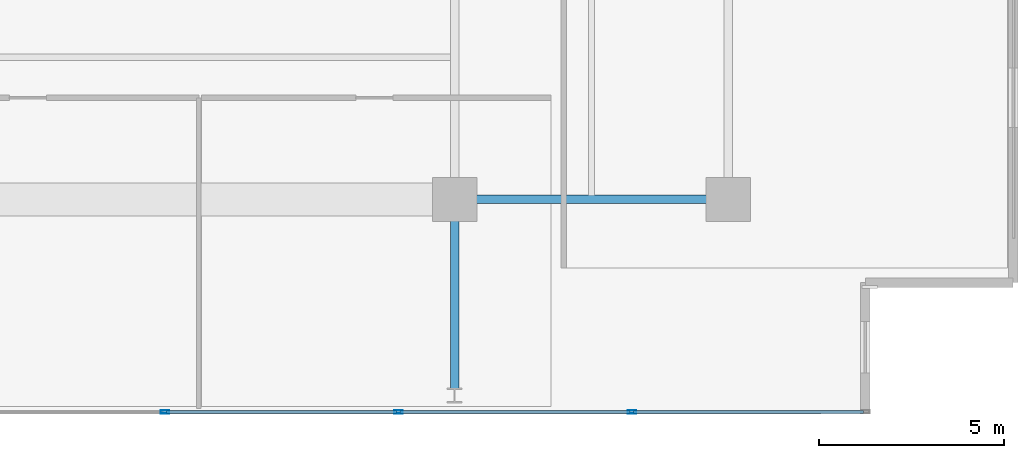
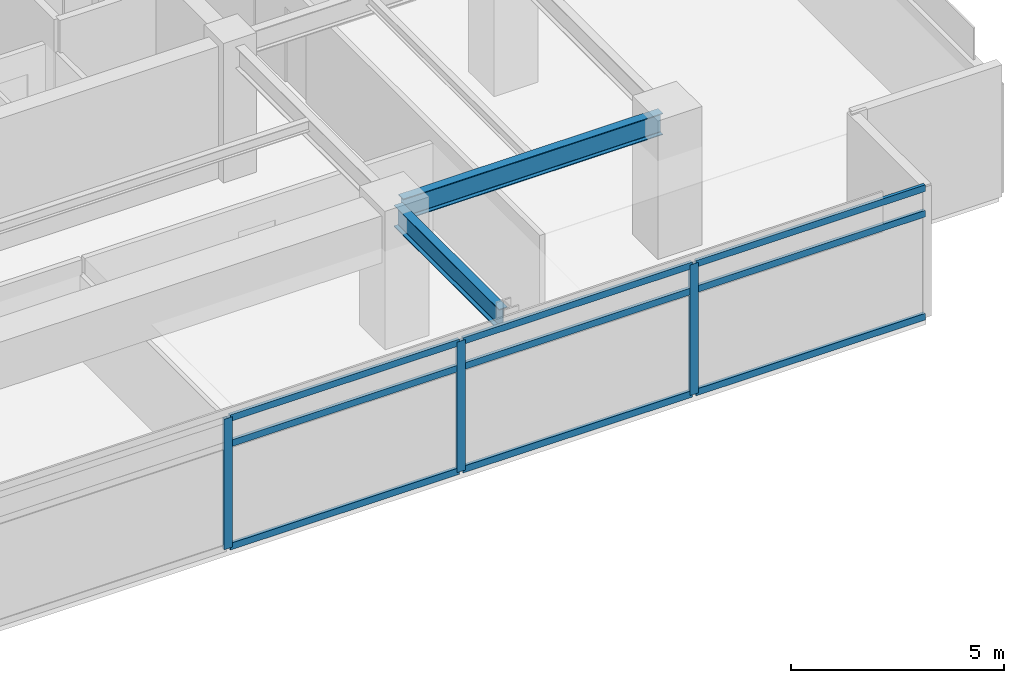
# One storey, part 6 of 24: 12 members, 2 beams, 1 element without a shape of its own.
"""IFC4 building model written with IfcOpenShell, lengths in metres."""

from ifc_helpers import new_model, si_unit, direction, frame, origin, origin_2d, place, context, subcontext, project, spatial, hollow_rectangle, i_section, extrude, material, material_profile, profile_set, type_object, element, aggregate, save


model = new_model("IFC4")

# Units and contexts
model_context = context("Model", 3, precision=1e-05, world=origin(), true_north=direction((0.0, 1.0)))
body_context = subcontext(model_context, "Body", "Model", "MODEL_VIEW")
ifc_project = project(units=[si_unit("LENGTHUNIT", "METRE"), si_unit("AREAUNIT", "SQUARE_METRE"), si_unit("VOLUMEUNIT", "CUBIC_METRE"), si_unit("PLANEANGLEUNIT", "RADIAN"), si_unit("MASSUNIT", "GRAM", prefix="KILO")], contexts=[model_context])

# Site, building, storey
site_placement = place(None, origin())
site = spatial("IfcSite", under=ifc_project, at=site_placement, CompositionType="ELEMENT")
building_placement = place(site_placement, origin())
building = spatial("IfcBuilding", under=site, at=building_placement, Name="Kovane Verandah Tower", CompositionType="ELEMENT")
storey_placement = place(building_placement, frame((0.0, 0.0, 271.199951171875)))
storey = spatial("IfcBuildingStorey", under=building, at=storey_placement, Name="L63", CompositionType="ELEMENT", Elevation=271.199951171875)

# Beams
ifc_material_1 = material(Name="Steel S355", Category="steel")
ifc_material_profile_1 = material_profile(ifc_material_1, i_section(OverallWidth=0.230224609375, OverallDepth=0.6171875, WebThickness=0.01318359375, FlangeThickness=0.022216796875, FilletRadius=0.0126953125, at=origin_2d()), Name="UB610x229x140")
ifc_profile_set_1 = profile_set([ifc_material_profile_1], Name="Steel S355")
beam_type = type_object("IfcBeamType", Name="BM-UB610x140", PredefinedType="BEAM", material=ifc_profile_set_1)
beam_1_placement = place(storey_placement, frame((51.179931640625, 10.800048828125, 3.4765625), z_axis=(1.0, 0.0, 0.0), x_axis=(0.0, 1.0, 0.0)))
element("IfcBeam", 1, at=beam_1_placement, inside=storey, type_object=beam_type, Name="L63 Primary Tower Girder G-RS3", PredefinedType="BEAM", context=body_context, shape_type="SweptSolid", body=[
    extrude(i_section(OverallWidth=0.230224609375, OverallDepth=0.6171875, WebThickness=0.01318359375, FlangeThickness=0.022216796875, FilletRadius=0.0126953125, at=origin_2d()), origin(), (0.0, 0.0, 1.0), 7.0400390625),
])
beam_2_placement = place(storey_placement, frame((51.0, 10.6201171875, 3.451416015625), z_axis=(0.0, -1.0, 0.0), x_axis=(1.0, 0.0, 0.0)))
element("IfcBeam", 2, at=beam_2_placement, inside=storey, type_object=beam_type, Name="L63 Primary Tower Girder G-VS2", PredefinedType="BEAM", context=body_context, shape_type="SweptSolid", body=[
    extrude(i_section(OverallWidth=0.230224609375, OverallDepth=0.6171875, WebThickness=0.01318359375, FlangeThickness=0.022216796875, FilletRadius=0.0126953125, at=origin_2d()), origin(), (0.0, 0.0, 1.0), 4.940185546875),
])

# Curtain wall, members
ifc_material_2 = material(Name="Champagne Anodised Aluminium Frame with Low-E Clear Laminated Glass", Category="aluminium")
curtain_wall_type = type_object("IfcCurtainWallType", Name="CW-SYS-05-HIGH", PredefinedType="NOTDEFINED", material=ifc_material_2)
curtain_wall_placement = place(storey_placement, origin())
curtain_wall = element("IfcCurtainWall", 3, at=curtain_wall_placement, inside=storey, type_object=curtain_wall_type, Name="L63 S Unitised Curtain Wall", PredefinedType="NOTDEFINED")
ifc_material_3 = material(Name="Champagne Anodised Aluminium 6063-T6", Category="aluminium")
ifc_material_profile_2 = material_profile(ifc_material_3, hollow_rectangle(XDim=0.0849609375, YDim=0.22998046875, WallThickness=0.00390625, at=origin_2d()), Name="AL85x230x4")
ifc_profile_set_2 = profile_set([ifc_material_profile_2], Name="Champagne Anodised Aluminium 6063-T6")
member_type_1 = type_object("IfcMemberType", Name="CW-MUL-85x230", PredefinedType="MULLION", material=ifc_profile_set_2)
member_1_placement = place(storey_placement, frame((43.158203125, 5.05029296875, 0.02001953125), z_axis=(0.0, 0.0, 1.0), x_axis=(0.0, -1.0, 0.0)))
member_1 = element("IfcMember", 4, at=member_1_placement, type_object=member_type_1, Name="L63 S Unitised Curtain Wall Mullion 5", PredefinedType="MULLION", context=body_context, shape_type="SweptSolid", body=[
    extrude(hollow_rectangle(XDim=0.0849609375, YDim=0.22998046875, WallThickness=0.00390625, at=origin_2d()), origin(), (0.0, 0.0, 1.0), 3.7451171875),
])
member_2_placement = place(storey_placement, frame((49.474609375, 5.05029296875, 0.02001953125), z_axis=(0.0, 0.0, 1.0), x_axis=(0.0, -1.0, 0.0)))
member_2 = element("IfcMember", 5, at=member_2_placement, type_object=member_type_1, Name="L63 S Unitised Curtain Wall Mullion 6", PredefinedType="MULLION", context=body_context, shape_type="SweptSolid", body=[
    extrude(hollow_rectangle(XDim=0.0849609375, YDim=0.22998046875, WallThickness=0.00390625, at=origin_2d()), origin(), (0.0, 0.0, 1.0), 3.7451171875),
])
member_3_placement = place(storey_placement, frame((55.791015625, 5.05029296875, 0.02001953125), z_axis=(0.0, 0.0, 1.0), x_axis=(0.0, -1.0, 0.0)))
member_3 = element("IfcMember", 6, at=member_3_placement, type_object=member_type_1, Name="L63 S Unitised Curtain Wall Mullion 7", PredefinedType="MULLION", context=body_context, shape_type="SweptSolid", body=[
    extrude(hollow_rectangle(XDim=0.0849609375, YDim=0.22998046875, WallThickness=0.00390625, at=origin_2d()), origin(), (0.0, 0.0, 1.0), 3.7451171875),
])
ifc_material_profile_3 = material_profile(ifc_material_3, hollow_rectangle(XDim=0.0849609375, YDim=0.18994140625, WallThickness=0.00390625, at=origin_2d()), Name="AL85x190x4")
ifc_profile_set_3 = profile_set([ifc_material_profile_3], Name="Champagne Anodised Aluminium 6063-T6")
member_type_2 = type_object("IfcMemberType", Name="CW-TRN-85x190", PredefinedType="USERDEFINED", material=ifc_profile_set_3)
member_4_placement = place(storey_placement, frame((43.208251953125, 5.05029296875, 0.050048828125), z_axis=(1.0, 0.0, 0.0), x_axis=(0.0, 1.0, 0.0)))
member_4 = element("IfcMember", 7, at=member_4_placement, type_object=member_type_2, Name="L63 S Unitised Curtain Wall Transom TB Bay 5", ObjectType="TRANSOM", PredefinedType="USERDEFINED", context=body_context, shape_type="SweptSolid", body=[
    extrude(hollow_rectangle(XDim=0.0849609375, YDim=0.18994140625, WallThickness=0.00390625, at=origin_2d()), origin(), (0.0, 0.0, 1.0), 6.21630859375),
])
member_5_placement = place(storey_placement, frame((43.208251953125, 5.05029296875, 3.005126953125), z_axis=(1.0, 0.0, 0.0), x_axis=(0.0, 1.0, 0.0)))
member_5 = element("IfcMember", 8, at=member_5_placement, type_object=member_type_2, Name="L63 S Unitised Curtain Wall Transom TM Bay 5", ObjectType="TRANSOM", PredefinedType="USERDEFINED", context=body_context, shape_type="SweptSolid", body=[
    extrude(hollow_rectangle(XDim=0.0849609375, YDim=0.18994140625, WallThickness=0.00390625, at=origin_2d()), origin(), (0.0, 0.0, 1.0), 6.21630859375),
])
member_6_placement = place(storey_placement, frame((43.208251953125, 5.05029296875, 3.735107421875), z_axis=(1.0, 0.0, 0.0), x_axis=(0.0, 1.0, 0.0)))
member_6 = element("IfcMember", 9, at=member_6_placement, type_object=member_type_2, Name="L63 S Unitised Curtain Wall Transom TT Bay 5", ObjectType="TRANSOM", PredefinedType="USERDEFINED", context=body_context, shape_type="SweptSolid", body=[
    extrude(hollow_rectangle(XDim=0.0849609375, YDim=0.18994140625, WallThickness=0.00390625, at=origin_2d()), origin(), (0.0, 0.0, 1.0), 6.21630859375),
])
member_7_placement = place(storey_placement, frame((49.5244140625, 5.05029296875, 0.050048828125), z_axis=(1.0, 0.0, 0.0), x_axis=(0.0, 1.0, 0.0)))
member_7 = element("IfcMember", 10, at=member_7_placement, type_object=member_type_2, Name="L63 S Unitised Curtain Wall Transom TB Bay 6", ObjectType="TRANSOM", PredefinedType="USERDEFINED", context=body_context, shape_type="SweptSolid", body=[
    extrude(hollow_rectangle(XDim=0.0849609375, YDim=0.18994140625, WallThickness=0.00390625, at=origin_2d()), origin(), (0.0, 0.0, 1.0), 6.216552734375),
])
member_8_placement = place(storey_placement, frame((49.5244140625, 5.05029296875, 3.005126953125), z_axis=(1.0, 0.0, 0.0), x_axis=(0.0, 1.0, 0.0)))
member_8 = element("IfcMember", 11, at=member_8_placement, type_object=member_type_2, Name="L63 S Unitised Curtain Wall Transom TM Bay 6", ObjectType="TRANSOM", PredefinedType="USERDEFINED", context=body_context, shape_type="SweptSolid", body=[
    extrude(hollow_rectangle(XDim=0.0849609375, YDim=0.18994140625, WallThickness=0.00390625, at=origin_2d()), origin(), (0.0, 0.0, 1.0), 6.216552734375),
])
member_9_placement = place(storey_placement, frame((49.5244140625, 5.05029296875, 3.735107421875), z_axis=(1.0, 0.0, 0.0), x_axis=(0.0, 1.0, 0.0)))
member_9 = element("IfcMember", 12, at=member_9_placement, type_object=member_type_2, Name="L63 S Unitised Curtain Wall Transom TT Bay 6", ObjectType="TRANSOM", PredefinedType="USERDEFINED", context=body_context, shape_type="SweptSolid", body=[
    extrude(hollow_rectangle(XDim=0.0849609375, YDim=0.18994140625, WallThickness=0.00390625, at=origin_2d()), origin(), (0.0, 0.0, 1.0), 6.216552734375),
])
member_10_placement = place(storey_placement, frame((55.8408203125, 5.05029296875, 0.050048828125), z_axis=(1.0, 0.0, 0.0), x_axis=(0.0, 1.0, 0.0)))
member_10 = element("IfcMember", 13, at=member_10_placement, type_object=member_type_2, Name="L63 S Unitised Curtain Wall Transom TB Bay 7", ObjectType="TRANSOM", PredefinedType="USERDEFINED", context=body_context, shape_type="SweptSolid", body=[
    extrude(hollow_rectangle(XDim=0.0849609375, YDim=0.18994140625, WallThickness=0.00390625, at=origin_2d()), origin(), (0.0, 0.0, 1.0), 6.21630859375),
])
member_11_placement = place(storey_placement, frame((55.8408203125, 5.05029296875, 3.005126953125), z_axis=(1.0, 0.0, 0.0), x_axis=(0.0, 1.0, 0.0)))
member_11 = element("IfcMember", 14, at=member_11_placement, type_object=member_type_2, Name="L63 S Unitised Curtain Wall Transom TM Bay 7", ObjectType="TRANSOM", PredefinedType="USERDEFINED", context=body_context, shape_type="SweptSolid", body=[
    extrude(hollow_rectangle(XDim=0.0849609375, YDim=0.18994140625, WallThickness=0.00390625, at=origin_2d()), origin(), (0.0, 0.0, 1.0), 6.21630859375),
])
member_12_placement = place(storey_placement, frame((55.8408203125, 5.05029296875, 3.735107421875), z_axis=(1.0, 0.0, 0.0), x_axis=(0.0, 1.0, 0.0)))
member_12 = element("IfcMember", 15, at=member_12_placement, type_object=member_type_2, Name="L63 S Unitised Curtain Wall Transom TT Bay 7", ObjectType="TRANSOM", PredefinedType="USERDEFINED", context=body_context, shape_type="SweptSolid", body=[
    extrude(hollow_rectangle(XDim=0.0849609375, YDim=0.18994140625, WallThickness=0.00390625, at=origin_2d()), origin(), (0.0, 0.0, 1.0), 6.21630859375),
])
aggregate(curtain_wall, [member_1, member_2, member_3, member_4, member_5, member_6, member_7, member_8, member_9, member_10, member_11, member_12])

save(model, "model.ifc")
